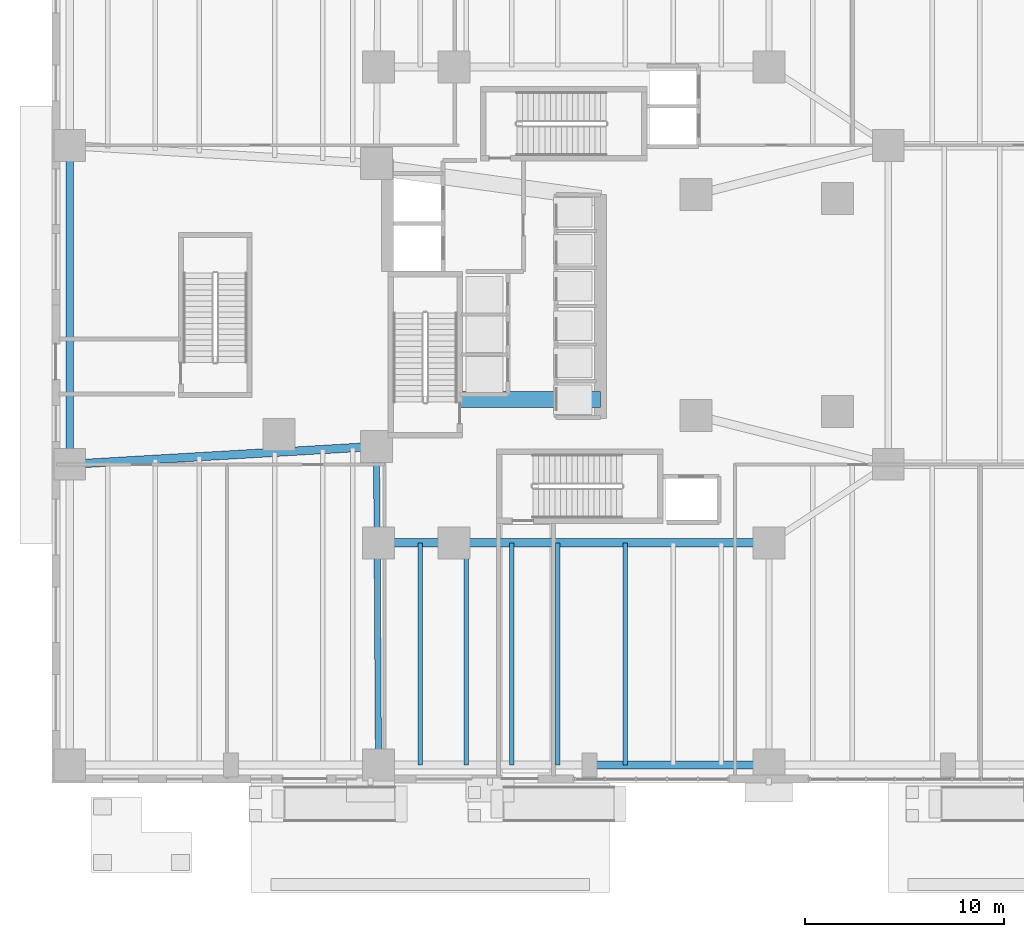
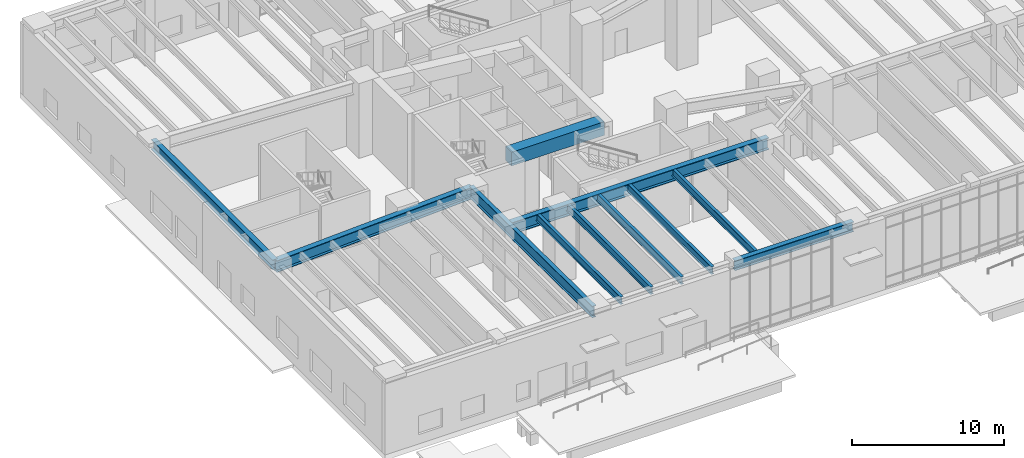
# One storey, part 3 of 28: 11 beams.
"""IFC4 building model written with IfcOpenShell, lengths in metres."""

from ifc_helpers import new_model, si_unit, direction, frame, origin, origin_2d, place, context, subcontext, project, spatial, rectangle, i_section, extrude, material, material_profile, profile_set, type_object, element, save


model = new_model("IFC4")

# Units and contexts
model_context = context("Model", 3, precision=1e-05, world=origin(), true_north=direction((0.0, 1.0)))
body_context = subcontext(model_context, "Body", "Model", "MODEL_VIEW")
ifc_project = project(units=[si_unit("LENGTHUNIT", "METRE"), si_unit("AREAUNIT", "SQUARE_METRE"), si_unit("VOLUMEUNIT", "CUBIC_METRE"), si_unit("PLANEANGLEUNIT", "RADIAN"), si_unit("MASSUNIT", "GRAM", prefix="KILO"), si_unit("THERMODYNAMICTEMPERATUREUNIT", "KELVIN"), si_unit("POWERUNIT", "WATT")], contexts=[model_context])

# Site, building, storey
site_placement = place(None, origin())
site = spatial("IfcSite", under=ifc_project, at=site_placement, CompositionType="ELEMENT")
building_placement = place(site_placement, origin())
building = spatial("IfcBuilding", under=site, at=building_placement, Name="Skarre Station Tower", CompositionType="ELEMENT")
storey_placement = place(building_placement, origin())
storey = spatial("IfcBuildingStorey", under=building, at=storey_placement, Name="L01", CompositionType="ELEMENT", Elevation=0.0)

# Beams
ifc_material_1 = material(Name="Concrete C70/85", Category="concrete")
ifc_material_profile_1 = material_profile(ifc_material_1, rectangle(XDim=0.800048828125, YDim=1.10009765625, at=origin_2d()), Name="Concrete C70/85")
ifc_profile_set_1 = profile_set([ifc_material_profile_1], Name="Concrete C70/85")
beam_type_1 = type_object("IfcBeamType", Name="RC Core Coupling Lintel 800x1100", PredefinedType="LINTEL", material=ifc_profile_set_1)
beam_1_placement = place(storey_placement, frame((20.489990234375, 19.260009765625, 5.139892578125), z_axis=(1.0, 0.0, 0.0), x_axis=(0.0, 1.0, 0.0)))
element("IfcBeam", 1, at=beam_1_placement, inside=storey, type_object=beam_type_1, Name="L01 South Core Coupling Lintel", PredefinedType="LINTEL", context=body_context, shape_type="SweptSolid", body=[
    extrude(rectangle(XDim=0.800048828125, YDim=1.10009765625, at=origin_2d()), origin(), (0.0, 0.0, 1.0), 7.06005859375),
])
ifc_material_2 = material(Name="Steel ASTM A992 Grade 50", Category="steel")
ifc_material_profile_2 = material_profile(ifc_material_2, i_section(OverallWidth=0.30810546875, OverallDepth=0.927001953125, WebThickness=0.01904296875, FlangeThickness=0.031982421875, at=origin_2d()), Name="Steel ASTM A992 Grade 50")
ifc_profile_set_2 = profile_set([ifc_material_profile_2], Name="Steel ASTM A992 Grade 50")
beam_type_2 = type_object("IfcBeamType", Name="Steel Beam W36X194", PredefinedType="BEAM", material=ifc_profile_set_2)
beam_2_placement = place(storey_placement, frame((16.39990234375, 0.89990234375, 5.22705078125), z_axis=(-0.006240723195, 0.999980526497, 0.0), x_axis=(-0.999980526497, -0.006240723195, 0.0)))
element("IfcBeam", 2, at=beam_2_placement, inside=storey, type_object=beam_type_2, Name="L01 Concourse Transverse Girder NS1", PredefinedType="BEAM", context=body_context, shape_type="SweptSolid", body=[
    extrude(i_section(OverallWidth=0.30810546875, OverallDepth=0.927001953125, WebThickness=0.01904296875, FlangeThickness=0.031982421875, at=origin_2d()), origin(), (0.0, 0.0, 1.0), 16.000244140625),
])
ifc_material_profile_3 = material_profile(ifc_material_2, i_section(OverallWidth=0.423095703125, OverallDepth=0.947998046875, WebThickness=0.02392578125, FlangeThickness=0.04296875, at=origin_2d()), Name="Steel ASTM A992 Grade 50")
ifc_profile_set_3 = profile_set([ifc_material_profile_3], Name="Steel ASTM A992 Grade 50")
beam_type_3 = type_object("IfcBeamType", Name="Steel Beam W36X302", PredefinedType="BEAM", material=ifc_profile_set_3)
beam_3_placement = place(storey_placement, frame((0.89990234375, 16.0, 5.216064453125), z_axis=(0.99829705511, 0.05833515029, 0.0), x_axis=(-0.05833515029, 0.99829705511, 0.0)))
element("IfcBeam", 3, at=beam_3_placement, inside=storey, type_object=beam_type_3, Name="L01 Concourse Primary Girder EW1", PredefinedType="BEAM", context=body_context, shape_type="SweptSolid", body=[
    extrude(i_section(OverallWidth=0.423095703125, OverallDepth=0.947998046875, WebThickness=0.02392578125, FlangeThickness=0.04296875, at=origin_2d()), origin(), (0.0, 0.0, 1.0), 15.426513671875),
])
beam_4_placement = place(storey_placement, frame((16.39990234375, 12.050048828125, 5.216064453125), z_axis=(1.0, 0.0, 0.0), x_axis=(0.0, 1.0, 0.0)))
element("IfcBeam", 4, at=beam_4_placement, inside=storey, type_object=beam_type_3, Name="L01 Concourse Primary Girder HDRS", PredefinedType="BEAM", context=body_context, shape_type="SweptSolid", body=[
    extrude(i_section(OverallWidth=0.423095703125, OverallDepth=0.947998046875, WebThickness=0.02392578125, FlangeThickness=0.04296875, at=origin_2d()), origin(), (0.0, 0.0, 1.0), 19.60009765625),
])
ifc_material_profile_4 = material_profile(ifc_material_2, i_section(OverallWidth=0.22802734375, OverallDepth=0.60791015625, WebThickness=0.010986328125, FlangeThickness=0.01708984375, at=origin_2d()), Name="Steel ASTM A992 Grade 50")
ifc_profile_set_4 = profile_set([ifc_material_profile_4], Name="Steel ASTM A992 Grade 50")
beam_type_4 = type_object("IfcBeamType", Name="Steel Joist W24X76", PredefinedType="JOIST", material=ifc_profile_set_4)
for number, where, z_axis, x_axis, name in (
    (5, (18.5, 0.89990234375, 5.385986328125), (0.0, 1.0, 0.0), (-1.0, 0.0, 0.0), "L01 South Bay Joist 7"),
    (6, (20.800048828125, 0.89990234375, 5.385986328125), (0.0, 1.0, 0.0), (-1.0, 0.0, 0.0), "L01 South Bay Joist 8"),
    (7, (23.10009765625, 0.89990234375, 5.385986328125), (0.0, 1.0, 0.0), (-1.0, 0.0, 0.0), "L01 South Bay Joist 9"),
    (8, (25.39990234375, 0.89990234375, 5.385986328125), (0.0, 1.0, 0.0), (-1.0, 0.0, 0.0), "L01 South Bay Joist 10"),
    (9, (28.800048828125, 0.89990234375, 5.385986328125), (0.0, 1.0, 0.0), (-1.0, 0.0, 0.0), "L01 South Bay Joist 11"),
):
    element("IfcBeam", number, at=place(storey_placement, frame(where, z_axis=z_axis, x_axis=x_axis)), inside=storey, type_object=beam_type_4, Name=name, PredefinedType="JOIST", context=body_context, shape_type="SweptSolid", body=[
        extrude(i_section(OverallWidth=0.22802734375, OverallDepth=0.60791015625, WebThickness=0.010986328125, FlangeThickness=0.01708984375, at=origin_2d()), origin(), (0.0, 0.0, 1.0), 11.150146484375),
    ])
ifc_material_profile_5 = material_profile(ifc_material_2, i_section(OverallWidth=0.384033203125, OverallDepth=0.785888671875, WebThickness=0.02001953125, FlangeThickness=0.032958984375, at=origin_2d()), Name="Steel ASTM A992 Grade 50")
ifc_profile_set_5 = profile_set([ifc_material_profile_5], Name="Steel ASTM A992 Grade 50")
beam_type_5 = type_object("IfcBeamType", Name="Steel Spandrel W30X211", PredefinedType="SPANDREL", material=ifc_profile_set_5)
beam_5_placement = place(storey_placement, frame((27.0, 0.89990234375, 5.297119140625), z_axis=(1.0, 0.0, 0.0), x_axis=(0.0, 1.0, 0.0)))
element("IfcBeam", 10, at=beam_5_placement, inside=storey, type_object=beam_type_5, Name="L01 South Podium Spandrel 4", PredefinedType="SPANDREL", context=body_context, shape_type="SweptSolid", body=[
    extrude(i_section(OverallWidth=0.384033203125, OverallDepth=0.785888671875, WebThickness=0.02001953125, FlangeThickness=0.032958984375, at=origin_2d()), origin(), (0.0, 0.0, 1.0), 9.0),
])
beam_6_placement = place(storey_placement, frame((0.89990234375, 16.0, 5.297119140625), z_axis=(0.0, 1.0, 0.0), x_axis=(-1.0, 0.0, 0.0)))
element("IfcBeam", 11, at=beam_6_placement, inside=storey, type_object=beam_type_5, Name="L01 West Podium Spandrel 2", PredefinedType="SPANDREL", context=body_context, shape_type="SweptSolid", body=[
    extrude(i_section(OverallWidth=0.384033203125, OverallDepth=0.785888671875, WebThickness=0.02001953125, FlangeThickness=0.032958984375, at=origin_2d()), origin(), (0.0, 0.0, 1.0), 16.0),
])

save(model, "model.ifc")
